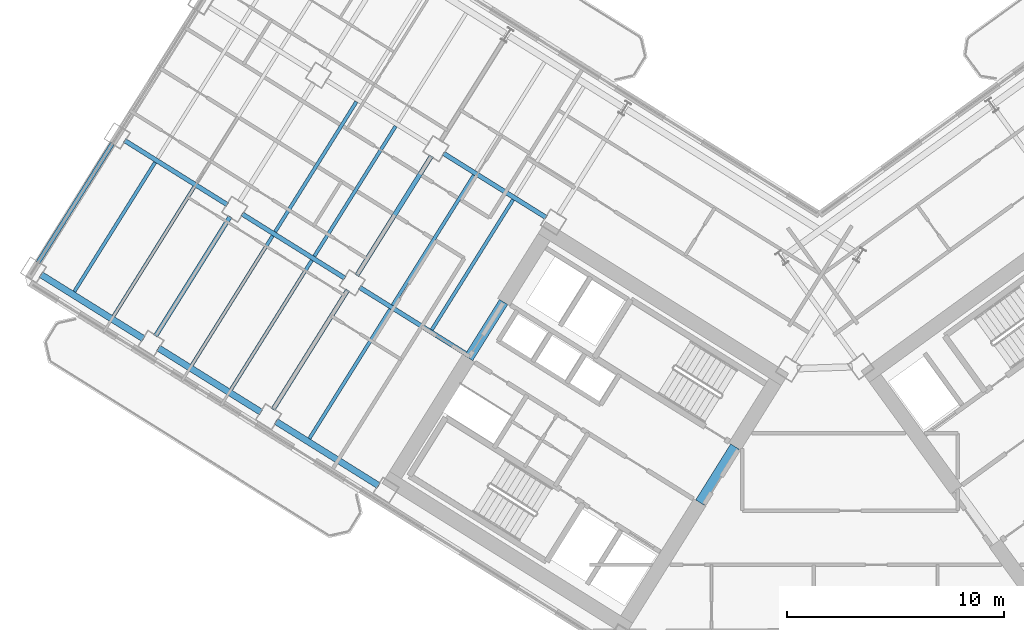
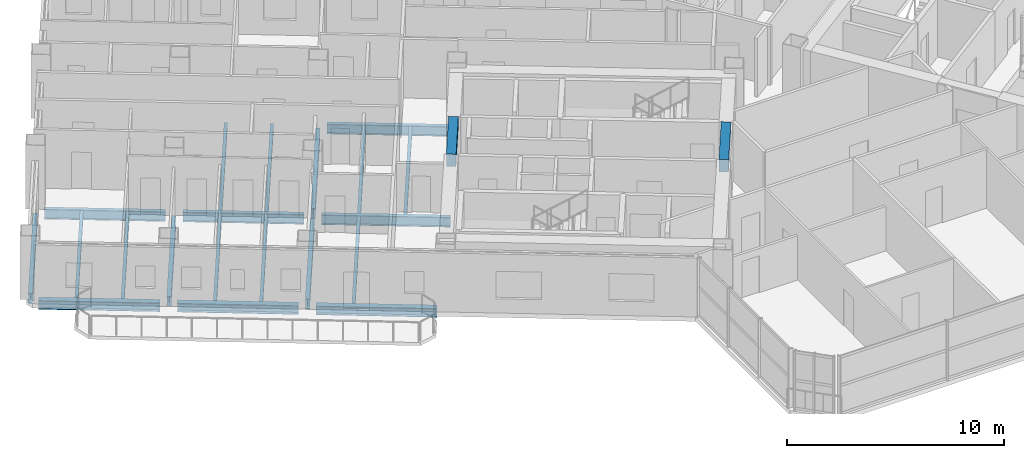
# One storey, part 5 of 22: 22 beams.
"""IFC4 building model written with IfcOpenShell, lengths in metres."""

import ifcopenshell
import ifcopenshell.guid

model = None  # the IFC model being written
_history = None  # IfcOwnerHistory: only IFC2X3 demands one
_inside = {}  # id of a spatial element -> (the spatial element, [elements in it])
_under = {}  # id of a project, library or spatial element -> (it, [spatial elements below it])
_declared = {}  # id of a project -> (the project, [libraries it declares])
_typed = {}  # id of a type object -> (the type object, [elements of that type])
_made_of = {}  # id of a material, layer set ... -> (it, [elements and type objects made of it])


def new_model(schema):
    """Start an empty IFC model of exactly this schema.

    Asked for "IFC4X3", IfcOpenShell would pick the latest addendum, in which some entities
    have other attributes; the version numbers below select the first issue.
    IFC2X3 requires an IfcOwnerHistory on every rooted entity: one is made here for all.
    """
    global model, _history
    if schema == "IFC4X3":
        model = ifcopenshell.file(schema_version=(4, 3, 0, 0))
    else:
        model = ifcopenshell.file(schema=schema)
    _inside.clear()
    _under.clear()
    _declared.clear()
    _typed.clear()
    _made_of.clear()
    _history = None
    if model.schema == "IFC2X3":
        org = make("IfcOrganization", Name="unknown")
        user = make(
            "IfcPersonAndOrganization",
            ThePerson=make("IfcPerson", FamilyName="unknown"),
            TheOrganization=org,
        )
        app = make(
            "IfcApplication",
            ApplicationDeveloper=org,
            Version="unknown",
            ApplicationFullName="unknown",
            ApplicationIdentifier="unknown",
        )
        _history = make(
            "IfcOwnerHistory",
            OwningUser=user,
            OwningApplication=app,
            ChangeAction="ADDED",
            CreationDate=0,
        )
    return model


def make(cls, **values):
    """One entity of the class cls with the attributes given. An attribute that is None is left unset."""
    return model.create_entity(
        cls, **{name: value for name, value in values.items() if value is not None}
    )


def rooted(cls, **values):
    """An entity with a GlobalId (a new one), such as an element, a storey or a relation."""
    return make(cls, GlobalId=ifcopenshell.guid.new(), OwnerHistory=_history, **values)


def si_unit(unit_type, name, prefix=None):
    """IfcSIUnit, for example si_unit("LENGTHUNIT", "METRE", prefix="MILLI")."""
    return make("IfcSIUnit", UnitType=unit_type, Prefix=prefix, Name=name)


def assignment(units):
    """IfcUnitAssignment: the units of a project."""
    return None if units is None else make("IfcUnitAssignment", Units=units)


def point(xyz):
    """IfcCartesianPoint."""
    return None if xyz is None else make("IfcCartesianPoint", Coordinates=xyz)


def direction(xyz):
    """IfcDirection."""
    return None if xyz is None else make("IfcDirection", DirectionRatios=xyz)


def frame(location, z_axis=None, x_axis=None):
    """IfcAxis2Placement3D, a coordinate frame: its origin and axes. An axis left out is left unset."""
    return make(
        "IfcAxis2Placement3D",
        Location=point(location),
        Axis=direction(z_axis),
        RefDirection=direction(x_axis),
    )


def frame_2d(location, x_axis=None):
    """IfcAxis2Placement2D, a coordinate frame in the plane: its origin and x axis."""
    return make(
        "IfcAxis2Placement2D", Location=point(location), RefDirection=direction(x_axis)
    )


def origin():
    """The frame at (0, 0, 0) with its axes left unset."""
    return frame((0.0, 0.0, 0.0))


def origin_2d():
    """The frame at (0, 0) in the plane with its x axis left unset."""
    return frame_2d((0.0, 0.0))


def place(relative_to, where):
    """IfcLocalPlacement: puts the frame where relative to a parent placement (None: the world)."""
    return make(
        "IfcLocalPlacement", PlacementRelTo=relative_to, RelativePlacement=where
    )


def context(
    kind, dimensions, precision=None, world=None, true_north=None, identifier=None
):
    """IfcGeometricRepresentationContext, for example the 3D "Model" context."""
    return make(
        "IfcGeometricRepresentationContext",
        ContextIdentifier=identifier,
        ContextType=kind,
        CoordinateSpaceDimension=dimensions,
        Precision=precision,
        WorldCoordinateSystem=world,
        TrueNorth=true_north,
    )


def subcontext(parent, identifier, kind, view, scale=None):
    """IfcGeometricRepresentationSubContext, for example "Body" below "Model"."""
    return make(
        "IfcGeometricRepresentationSubContext",
        ContextIdentifier=identifier,
        ContextType=kind,
        ParentContext=parent,
        TargetScale=scale,
        TargetView=view,
    )


def project(units=None, contexts=None):
    """IfcProject with its units and contexts."""
    return rooted(
        "IfcProject",
        Name="project",
        RepresentationContexts=contexts,
        UnitsInContext=assignment(units),
    )


def spatial(cls, under=None, at=None, **own):
    """A site, building, storey or space (cls), placed at a placement, below another one or the project."""
    s = rooted(cls, ObjectPlacement=at, **own)
    if under is not None:
        _under.setdefault(under.id(), (under, []))[1].append(s)
    return s


def profile(cls, at=None, kind="AREA", **sizes):
    """A parametric profile (cls). Its sizes go by their IFC names, for example OverallWidth=200.0."""
    return make(cls, ProfileType=kind, Position=at, **sizes)


def rectangle(**sizes):
    """IfcRectangleProfileDef."""
    return profile("IfcRectangleProfileDef", **sizes)


def i_section(**sizes):
    """IfcIShapeProfileDef."""
    return profile("IfcIShapeProfileDef", **sizes)


def extrude(swept, where, along, depth):
    """IfcExtrudedAreaSolid: the profile swept, set in the frame where, extruded along a direction by depth."""
    return make(
        "IfcExtrudedAreaSolid",
        SweptArea=swept,
        Position=where,
        ExtrudedDirection=direction(along),
        Depth=depth,
    )


def shape(context_of_items, identifier, shape_type, items):
    """IfcShapeRepresentation: the items that make up one representation, for example the "Body"."""
    return make(
        "IfcShapeRepresentation",
        ContextOfItems=context_of_items,
        RepresentationIdentifier=identifier,
        RepresentationType=shape_type,
        Items=items,
    )


def source(mapping_origin, context_of_items, identifier, shape_type, items):
    """IfcRepresentationMap: a shape defined once, which mapped items show again and again."""
    return make(
        "IfcRepresentationMap",
        MappingOrigin=mapping_origin,
        MappedRepresentation=shape(context_of_items, identifier, shape_type, items),
    )


def transform(
    local_origin,
    x_axis=None,
    y_axis=None,
    z_axis=None,
    scale=None,
    scale2=None,
    scale3=None,
    uniform=True,
):
    """IfcCartesianTransformationOperator3D, or its non-uniform kind. x_axis, y_axis, z_axis: its Axis1, 2, 3."""
    if uniform:
        return make(
            "IfcCartesianTransformationOperator3D",
            Axis1=direction(x_axis),
            Axis2=direction(y_axis),
            LocalOrigin=point(local_origin),
            Scale=scale,
            Axis3=direction(z_axis),
        )
    return make(
        "IfcCartesianTransformationOperator3DnonUniform",
        Axis1=direction(x_axis),
        Axis2=direction(y_axis),
        LocalOrigin=point(local_origin),
        Scale=scale,
        Axis3=direction(z_axis),
        Scale2=scale2,
        Scale3=scale3,
    )


def mapped(mapping_source, mapping_target):
    """IfcMappedItem: shows the shape of a source again, moved by a transform."""
    return make(
        "IfcMappedItem", MappingSource=mapping_source, MappingTarget=mapping_target
    )


def material(Name=None, Category=None):
    """IfcMaterial."""
    return make("IfcMaterial", Name=Name, Category=Category)


def material_profile(
    of_material, cross_section, Name=None, Category=None, Priority=None
):
    """IfcMaterialProfile: a cross section and its material."""
    return make(
        "IfcMaterialProfile",
        Name=Name,
        Material=of_material,
        Profile=cross_section,
        Priority=Priority,
        Category=Category,
    )


def profile_set(profiles, Name=None, composite=None):
    """IfcMaterialProfileSet."""
    return make(
        "IfcMaterialProfileSet",
        Name=Name,
        MaterialProfiles=profiles,
        CompositeProfile=composite,
    )


def made_of(thing, what):
    """Note that an element or type object is made of a material, layer set ...; save() writes the relation."""
    if what is not None:
        _made_of.setdefault(what.id(), (what, []))[1].append(thing)
    return thing


def type_object(cls, material=None, **own):
    """A type object (cls), such as IfcWallType, which elements share."""
    return made_of(rooted(cls, **own), material)


def element(
    cls,
    number,
    at=None,
    inside=None,
    cuts=None,
    type_object=None,
    material=None,
    context=None,
    identifier="Body",
    shape_type=None,
    held_by="IfcProductDefinitionShape",
    body=None,
    shapes=None,
    **own,
):
    """One element of the class cls, such as IfcWall. Its Tag is "e" and its number.

    at: its placement. inside: the storey or other place that contains it. cuts: it is an
    opening in that element (IfcRelVoidsElement). A single representation is given by context,
    identifier, shape_type and body (its items); several are given by shapes. held_by: the class
    of the entity that holds the representations. save() writes the other relations.
    """
    e = rooted(cls, Tag="e%d" % number, ObjectPlacement=at, **own)
    if body is not None:
        shapes = [shape(context, identifier, shape_type, body)]
    if shapes is not None:
        e.Representation = make(held_by, Representations=shapes)
    if inside is not None:
        _inside.setdefault(inside.id(), (inside, []))[1].append(e)
    if cuts is not None:
        rooted(
            "IfcRelVoidsElement", RelatingBuildingElement=cuts, RelatedOpeningElement=e
        )
    if type_object is not None:
        _typed.setdefault(type_object.id(), (type_object, []))[1].append(e)
    return made_of(e, material)


def aggregate(whole, parts):
    """IfcRelAggregates: a whole, such as a stair, and the parts it consists of."""
    return rooted("IfcRelAggregates", RelatingObject=whole, RelatedObjects=parts)


def save(model, path):
    """Write the relations noted so far, then the file.

    IfcRelAggregates (storeys below a building ...), IfcRelContainedInSpatialStructure (elements
    in a storey), IfcRelDefinesByType, IfcRelAssociatesMaterial and IfcRelDeclares: one each for
    every whole, place, type object, material and project.
    """
    for whole, parts in _under.values():
        aggregate(whole, parts)
    for where, things in _inside.values():
        rooted(
            "IfcRelContainedInSpatialStructure",
            RelatedElements=things,
            RelatingStructure=where,
        )
    for kind, things in _typed.values():
        rooted("IfcRelDefinesByType", RelatedObjects=things, RelatingType=kind)
    for what, things in _made_of.values():
        rooted("IfcRelAssociatesMaterial", RelatedObjects=things, RelatingMaterial=what)
    for by, libraries in _declared.values():
        rooted("IfcRelDeclares", RelatingContext=by, RelatedDefinitions=libraries)
    model.write(path)


model = new_model("IFC4")

# Units and contexts
model_context = context("Model", 3, precision=1e-05, world=origin(), true_north=direction((0.0, 1.0)))
body_context = subcontext(model_context, "Body", "Model", "MODEL_VIEW")
ifc_project = project(units=[si_unit("LENGTHUNIT", "METRE"), si_unit("AREAUNIT", "SQUARE_METRE"), si_unit("VOLUMEUNIT", "CUBIC_METRE"), si_unit("PLANEANGLEUNIT", "RADIAN"), si_unit("MASSUNIT", "GRAM", prefix="KILO")], contexts=[model_context])

# Site, building, storey
site_placement = place(None, origin())
site = spatial("IfcSite", under=ifc_project, at=site_placement, CompositionType="ELEMENT")
building_placement = place(site_placement, origin())
building = spatial("IfcBuilding", under=site, at=building_placement, Name="Tlacorven Tower", CompositionType="ELEMENT")
storey_placement = place(building_placement, frame((0.0, 0.0, 97.199951171875)))
storey = spatial("IfcBuildingStorey", under=building, at=storey_placement, Name="L24", CompositionType="ELEMENT", Elevation=97.199951171875)

# Beams
ifc_material_1 = material(Name="Concrete C60/75", Category="concrete")
ifc_material_profile_1 = material_profile(ifc_material_1, rectangle(XDim=0.449951171875, YDim=0.699951171875, at=origin_2d()), Name="RC 450X700")
ifc_profile_set_1 = profile_set([ifc_material_profile_1], Name="Concrete C60/75")
beam_type_1 = type_object("IfcBeamType", Name="BM-LNT-700", PredefinedType="LINTEL", material=ifc_profile_set_1)
shared_shape_1 = source(origin(), body_context, "Body", "SweptSolid", [
    extrude(rectangle(XDim=0.449951171875, YDim=0.699951171875, at=origin_2d()), origin(), (0.0, 0.0, 1.0), 3.050048828125),
])
beam_1_placement = place(storey_placement, frame((38.2998046875, 20.890625, 2.969970703125), z_axis=(-0.529984549635, -0.848007297815, 0.0), x_axis=(0.848007297815, -0.529984549635, 0.0)))
element("IfcBeam", 1, at=beam_1_placement, inside=storey, type_object=beam_type_1, Name="L24 W core coupling lintel beam E1", PredefinedType="LINTEL", context=body_context, shape_type="MappedRepresentation", body=[
    mapped(shared_shape_1, transform((0.0, 0.0, 0.0), scale=1.0)),
])
shared_shape_2 = source(origin(), body_context, "Body", "SweptSolid", [
    extrude(rectangle(XDim=0.449951171875, YDim=0.699951171875, at=origin_2d()), origin(), (0.0, 0.0, 1.0), 3.0498046875),
])
beam_2_placement = place(storey_placement, frame((27.622802734375, 27.562255859375, 2.969970703125), z_axis=(-0.529926983584, -0.848043272522, 0.0), x_axis=(0.848043272522, -0.529926983584, 0.0)))
element("IfcBeam", 2, at=beam_2_placement, inside=storey, type_object=beam_type_1, Name="L24 W core coupling lintel beam E2", PredefinedType="LINTEL", context=body_context, shape_type="MappedRepresentation", body=[
    mapped(shared_shape_2, transform((0.0, 0.0, 0.0), scale=1.0)),
])
ifc_material_2 = material(Name="Steel S355J2", Category="steel")
ifc_material_profile_2 = material_profile(ifc_material_2, i_section(OverallWidth=0.2099609375, OverallDepth=0.550048828125, WebThickness=0.010986328125, FlangeThickness=0.01708984375, at=origin_2d()), Name="IPE 550")
ifc_profile_set_2 = profile_set([ifc_material_profile_2], Name="Steel S355J2")
beam_type_2 = type_object("IfcBeamType", Name="BM-TWR-550", PredefinedType="BEAM", material=ifc_profile_set_2)
shared_shape_3 = source(origin(), body_context, "Body", "SweptSolid", [
    extrude(i_section(OverallWidth=0.2099609375, OverallDepth=0.550048828125, WebThickness=0.010986328125, FlangeThickness=0.01708984375, at=origin_2d()), origin(), (0.0, 0.0, 1.0), 5.599853515625),
])
for number, where, z_axis, x_axis, name in (
    (3, (29.588623046875, 31.46337890625, -0.52490234375), (-0.848047285686, 0.529920561254, 0.0), (-0.529920561254, -0.848047285686, 0.0), "L24 beam BM-L24-WL2-3"),
    (4, (20.292724609375, 28.6640625, -0.52490234375), (-0.848047285686, 0.529920561254, 0.0), (-0.529920561254, -0.848047285686, 0.0), "L24 beam BM-L24-WL3-4"),
):
    element("IfcBeam", number, at=place(storey_placement, frame(where, z_axis=z_axis, x_axis=x_axis)), inside=storey, type_object=beam_type_2, Name=name, PredefinedType="BEAM", context=body_context, shape_type="MappedRepresentation", body=[
        mapped(shared_shape_3, transform((0.0, 0.0, 0.0), scale=1.0)),
    ])
shared_shape_4 = source(origin(), body_context, "Body", "SweptSolid", [
    extrude(i_section(OverallWidth=0.2099609375, OverallDepth=0.550048828125, WebThickness=0.010986328125, FlangeThickness=0.01708984375, at=origin_2d()), origin(), (0.0, 0.0, 1.0), 5.960205078125),
])
beam_3_placement = place(storey_placement, frame((26.025634765625, 25.081787109375, -0.52490234375), z_axis=(-0.848042024898, 0.529928980153, 0.0), x_axis=(-0.529928980153, -0.848042024898, 0.0)))
element("IfcBeam", 5, at=beam_3_placement, inside=storey, type_object=beam_type_2, Name="L24 beam BM-L24-WL3-3", PredefinedType="BEAM", context=body_context, shape_type="MappedRepresentation", body=[
    mapped(shared_shape_4, transform((0.0, 0.0, 0.0), scale=1.0)),
])
shared_shape_5 = source(origin(), body_context, "Body", "SweptSolid", [
    extrude(i_section(OverallWidth=0.2099609375, OverallDepth=0.550048828125, WebThickness=0.010986328125, FlangeThickness=0.01708984375, at=origin_2d()), origin(), (0.0, 0.0, 1.0), 5.60009765625),
])
beam_4_placement = place(storey_placement, frame((14.865234375, 32.055419921875, -0.52490234375), z_axis=(-0.848027693204, 0.529951914384, 0.0), x_axis=(-0.529951914384, -0.848027693204, 0.0)))
element("IfcBeam", 6, at=beam_4_placement, inside=storey, type_object=beam_type_2, Name="L24 beam BM-L24-WL3-5", PredefinedType="BEAM", context=body_context, shape_type="MappedRepresentation", body=[
    mapped(shared_shape_5, transform((0.0, 0.0, 0.0), scale=1.0)),
])
ifc_material_profile_3 = material_profile(ifc_material_2, i_section(OverallWidth=0.300048828125, OverallDepth=0.489990234375, WebThickness=0.011962890625, FlangeThickness=0.02294921875, at=origin_2d()), Name="HEA 500")
ifc_profile_set_3 = profile_set([ifc_material_profile_3], Name="Steel S355J2")
beam_type_3 = type_object("IfcBeamType", Name="BM-SPN-500", PredefinedType="SPANDREL", material=ifc_profile_set_3)
shared_shape_6 = source(origin(), body_context, "Body", "SweptSolid", [
    extrude(i_section(OverallWidth=0.300048828125, OverallDepth=0.489990234375, WebThickness=0.011962890625, FlangeThickness=0.02294921875, at=origin_2d()), origin(), (0.0, 0.0, 1.0), 5.599853515625),
])
for number, where, z_axis, x_axis, name in (
    (7, (21.851806640625, 19.081787109375, -0.494873046875), (-0.848047285686, 0.529920561254, 0.0), (-0.529920561254, -0.848047285686, 0.0), "L24 beam BM-L24-WL4-3"),
    (8, (16.42431640625, 22.473388671875, -0.494873046875), (-0.848047285686, 0.529920561254, 0.0), (-0.529920561254, -0.848047285686, 0.0), "L24 beam BM-L24-WL4-4"),
    (9, (10.996826171875, 25.86474609375, -0.494873046875), (-0.848047285686, 0.529920561254, 0.0), (-0.529920561254, -0.848047285686, 0.0), "L24 beam BM-L24-WL4-5"),
):
    element("IfcBeam", number, at=place(storey_placement, frame(where, z_axis=z_axis, x_axis=x_axis)), inside=storey, type_object=beam_type_3, Name=name, PredefinedType="SPANDREL", context=body_context, shape_type="MappedRepresentation", body=[
        mapped(shared_shape_6, transform((0.0, 0.0, 0.0), scale=1.0)),
    ])
shared_shape_7 = source(origin(), body_context, "Body", "SweptSolid", [
    extrude(i_section(OverallWidth=0.2099609375, OverallDepth=0.550048828125, WebThickness=0.010986328125, FlangeThickness=0.01708984375, at=origin_2d()), origin(), (0.0, 0.0, 1.0), 6.500244140625),
])
beam_5_placement = place(storey_placement, frame((24.28857421875, 34.3037109375, -0.52490234375), z_axis=(-0.529921287515, -0.848046831866, 0.0), x_axis=(0.848046831866, -0.529921287515, 0.0)))
element("IfcBeam", 10, at=beam_5_placement, inside=storey, type_object=beam_type_2, Name="L24 beam BM-L24-WT4-2", PredefinedType="BEAM", context=body_context, shape_type="MappedRepresentation", body=[
    mapped(shared_shape_7, transform((0.0, 0.0, 0.0), scale=1.0)),
])
shared_shape_8 = source(origin(), body_context, "Body", "SweptSolid", [
    extrude(i_section(OverallWidth=0.2099609375, OverallDepth=0.550048828125, WebThickness=0.010986328125, FlangeThickness=0.01708984375, at=origin_2d()), origin(), (0.0, 0.0, 1.0), 6.5),
])
for number, where, z_axis, x_axis, name in (
    (11, (20.420166015625, 28.11279296875, -0.52490234375), (-0.529938166933, -0.848036284146, 0.0), (0.848036284146, -0.529938166933, 0.0), "L24 beam BM-L24-WT4-3"),
    (12, (14.992431640625, 31.50439453125, -0.52490234375), (-0.529894274829, -0.848063710757, 0.0), (0.848063710757, -0.529894274829, 0.0), "L24 beam BM-L24-WT5-3"),
):
    element("IfcBeam", number, at=place(storey_placement, frame(where, z_axis=z_axis, x_axis=x_axis)), inside=storey, type_object=beam_type_2, Name=name, PredefinedType="BEAM", context=body_context, shape_type="MappedRepresentation", body=[
        mapped(shared_shape_8, transform((0.0, 0.0, 0.0), scale=1.0)),
    ])
shared_shape_9 = source(origin(), body_context, "Body", "SweptSolid", [
    extrude(i_section(OverallWidth=0.2099609375, OverallDepth=0.550048828125, WebThickness=0.010986328125, FlangeThickness=0.01708984375, at=origin_2d()), origin(), (0.0, 0.0, 1.0), 6.499755859375),
])
beam_6_placement = place(storey_placement, frame((9.56494140625, 34.895751953125, -0.52490234375), z_axis=(-0.529911154058, -0.848053163902, 0.0), x_axis=(0.848053163902, -0.529911154058, 0.0)))
element("IfcBeam", 13, at=beam_6_placement, inside=storey, type_object=beam_type_2, Name="L24 beam BM-L24-WT6-3", PredefinedType="BEAM", context=body_context, shape_type="MappedRepresentation", body=[
    mapped(shared_shape_9, transform((0.0, 0.0, 0.0), scale=1.0)),
])
ifc_material_profile_4 = material_profile(ifc_material_2, i_section(OverallWidth=0.159912109375, OverallDepth=0.330078125, WebThickness=0.007568359375, FlangeThickness=0.011474609375, at=origin_2d()), Name="IPE 330")
ifc_profile_set_4 = profile_set([ifc_material_profile_4], Name="Steel S355J2")
beam_type_4 = type_object("IfcBeamType", Name="BM-JST-330", PredefinedType="JOIST", material=ifc_profile_set_4)
shared_shape_10 = source(origin(), body_context, "Body", "SweptSolid", [
    extrude(i_section(OverallWidth=0.159912109375, OverallDepth=0.330078125, WebThickness=0.007568359375, FlangeThickness=0.011474609375, at=origin_2d()), origin(), (0.0, 0.0, 1.0), 7.080078125),
])
for number, where, z_axis, x_axis, name in (
    (14, (28.060546875, 32.28857421875, -0.4150390625), (-0.529933847046, -0.848038983629, 0.0), (0.848038983629, -0.529933847046, 0.0), "L24 beam BM-L24-WJ3-2-1"),
    (15, (26.251220703125, 33.419189453125, -0.4150390625), (-0.529893550998, -0.848064163027, 0.0), (0.848064163027, -0.529893550998, 0.0), "L24 beam BM-L24-WJ3-2-2"),
    (16, (22.633056640625, 35.679931640625, -0.4150390625), (-0.529933847046, -0.848038983629, 0.0), (0.848038983629, -0.529933847046, 0.0), "L24 beam BM-L24-WJ4-2-1"),
):
    element("IfcBeam", number, at=place(storey_placement, frame(where, z_axis=z_axis, x_axis=x_axis)), inside=storey, type_object=beam_type_4, Name=name, PredefinedType="JOIST", context=body_context, shape_type="MappedRepresentation", body=[
        mapped(shared_shape_10, transform((0.0, 0.0, 0.0), scale=1.0)),
    ])
shared_shape_11 = source(origin(), body_context, "Body", "SweptSolid", [
    extrude(i_section(OverallWidth=0.159912109375, OverallDepth=0.330078125, WebThickness=0.007568359375, FlangeThickness=0.011474609375, at=origin_2d()), origin(), (0.0, 0.0, 1.0), 7.03515625),
])
for number, where, z_axis, x_axis, name in (
    (17, (22.3828125, 27.228271484375, -0.4150390625), (-0.529920952588, -0.848047041153, 0.0), (0.848047041153, -0.529920952588, 0.0), "L24 beam BM-L24-WJ3-3-2"),
    (18, (18.7646484375, 29.4892578125, -0.4150390625), (-0.529920952588, -0.848047041153, 0.0), (0.848047041153, -0.529920952588, 0.0), "L24 beam BM-L24-WJ4-3-1"),
    (19, (16.955322265625, 30.619873046875, -0.4150390625), (-0.529920952588, -0.848047041153, 0.0), (0.848047041153, -0.529920952588, 0.0), "L24 beam BM-L24-WJ4-3-2"),
    (20, (13.337158203125, 32.880859375, -0.4150390625), (-0.529920952588, -0.848047041153, 0.0), (0.848047041153, -0.529920952588, 0.0), "L24 beam BM-L24-WJ5-3-1"),
    (21, (11.52783203125, 34.01123046875, -0.4150390625), (-0.529920952588, -0.848047041153, 0.0), (0.848047041153, -0.529920952588, 0.0), "L24 beam BM-L24-WJ5-3-2"),
):
    element("IfcBeam", number, at=place(storey_placement, frame(where, z_axis=z_axis, x_axis=x_axis)), inside=storey, type_object=beam_type_4, Name=name, PredefinedType="JOIST", context=body_context, shape_type="MappedRepresentation", body=[
        mapped(shared_shape_11, transform((0.0, 0.0, 0.0), scale=1.0)),
    ])
shared_shape_12 = source(origin(), body_context, "Body", "SweptSolid", [
    extrude(i_section(OverallWidth=0.159912109375, OverallDepth=0.330078125, WebThickness=0.007568359375, FlangeThickness=0.011474609375, at=origin_2d()), origin(), (0.0, 0.0, 1.0), 7.079833984375),
])
beam_7_placement = place(storey_placement, frame((20.82373046875, 36.810546875, -0.4150390625), z_axis=(-0.529909047265, -0.848054480341, 0.0), x_axis=(0.848054480341, -0.529909047265, 0.0)))
element("IfcBeam", 22, at=beam_7_placement, inside=storey, type_object=beam_type_4, Name="L24 beam BM-L24-WJ4-2-2", PredefinedType="JOIST", context=body_context, shape_type="MappedRepresentation", body=[
    mapped(shared_shape_12, transform((0.0, 0.0, 0.0), scale=1.0)),
])

save(model, "model.ifc")
